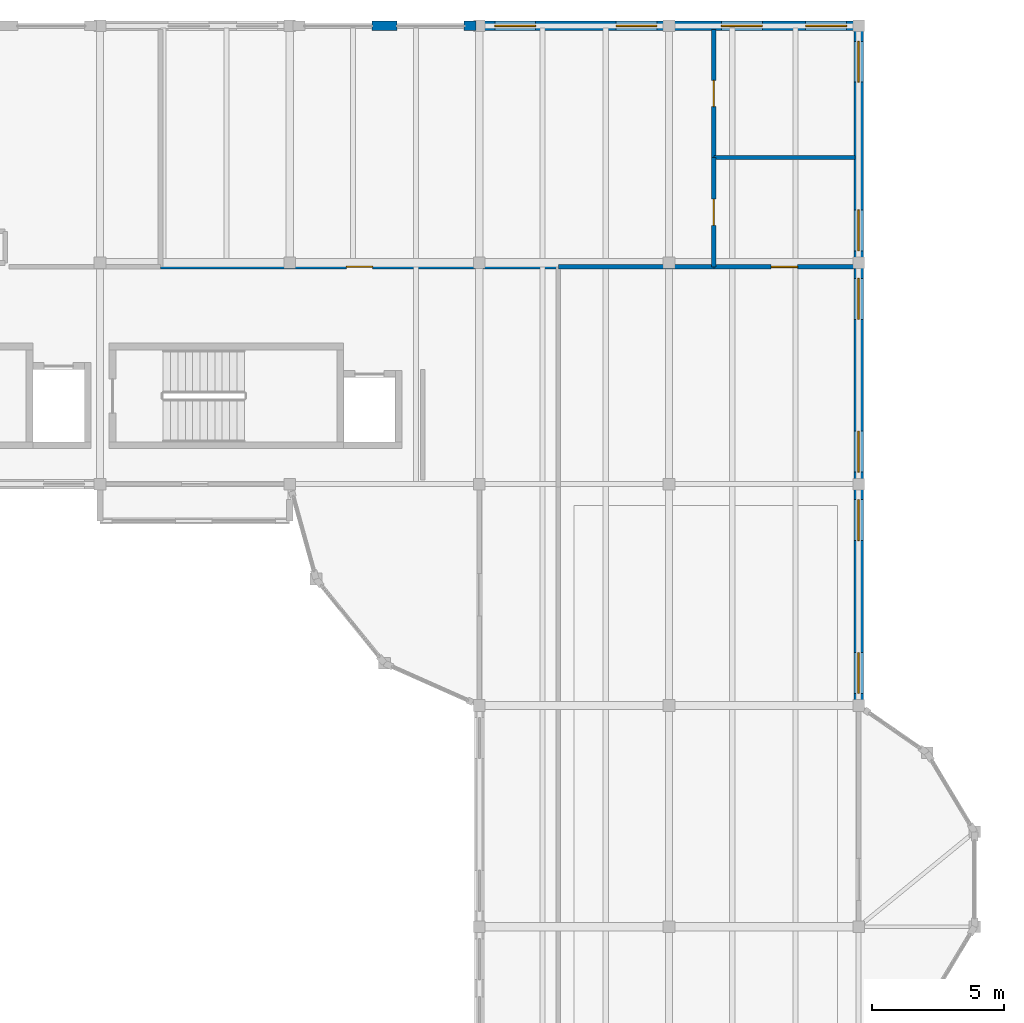
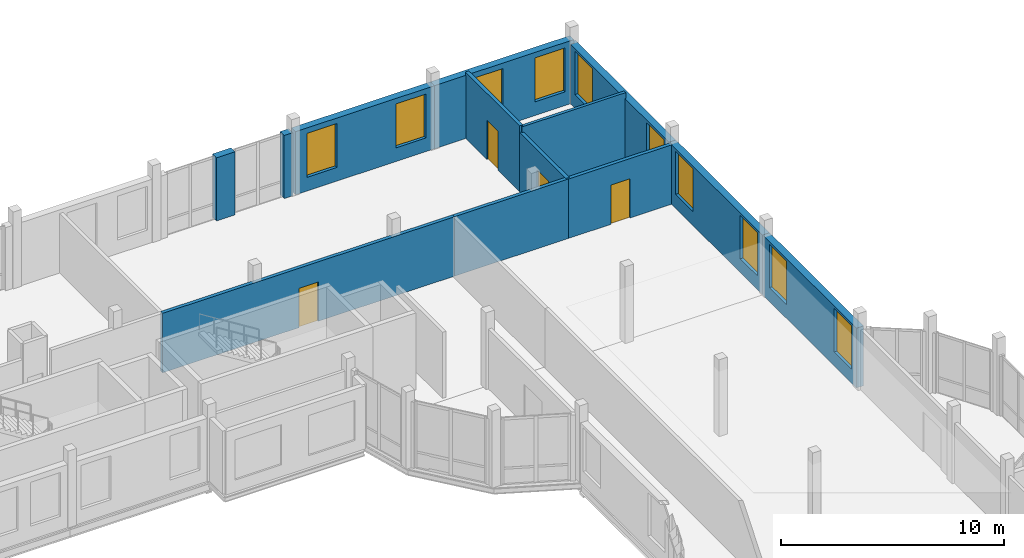
# One storey, part 62 of 81: 13 walls, 10 windows, 4 doors, 14 openings.
"""IFC4 building model written with IfcOpenShell, lengths in metres."""

from ifc_helpers import new_model, si_unit, direction, frame, frame_2d, origin, place, context, subcontext, project, spatial, rectangle, extrude, material, layer, layer_set, type_object, element, fill, save


model = new_model("IFC4")

# Units and contexts
model_context = context("Model", 3, precision=1e-05, world=origin(), true_north=direction((0.0, 1.0)))
body_context = subcontext(model_context, "Body", "Model", "MODEL_VIEW")
ifc_project = project(units=[si_unit("LENGTHUNIT", "METRE"), si_unit("AREAUNIT", "SQUARE_METRE"), si_unit("VOLUMEUNIT", "CUBIC_METRE"), si_unit("PLANEANGLEUNIT", "RADIAN"), si_unit("MASSUNIT", "GRAM", prefix="KILO")], contexts=[model_context])

# Site, building, storey
site_placement = place(None, origin())
site = spatial("IfcSite", under=ifc_project, at=site_placement, CompositionType="ELEMENT")
building_placement = place(site_placement, origin())
building = spatial("IfcBuilding", under=site, at=building_placement, Name="Kahlenmark Community Centre", CompositionType="ELEMENT")
storey_placement = place(building_placement, frame((0.0, 0.0, 9.60009765625)))
storey = spatial("IfcBuildingStorey", under=building, at=storey_placement, Name="L02", CompositionType="ELEMENT", Elevation=9.60009765625)

# Walls
ifc_material_1 = material(Name="Danube limestone masonry", Category="masonry")
ifc_layer_1 = layer(ifc_material_1, 0.360107421875)
ifc_layer_set_1 = layer_set([ifc_layer_1], Name="Danube limestone masonry")
wall_type_1 = type_object("IfcWallType", Name="WT-EW-360", PredefinedType="SOLIDWALL", material=ifc_layer_set_1)
wall_1_placement = place(storey_placement, frame((69.280029296875, 115.0, 0.0), z_axis=(0.0, 0.0, 1.0), x_axis=(-1.0, 0.0, 0.0)))
element("IfcWall", 1, at=wall_1_placement, inside=storey, type_object=wall_type_1, Name="Postmodern limestone pier 0509", PredefinedType="SOLIDWALL", context=body_context, shape_type="SweptSolid", body=[
    extrude(rectangle(XDim=0.9599609375, YDim=0.360107421875, at=frame_2d((0.47998046875, 0.0))), origin(), (0.0, 0.0, 1.0), 3.449951171875),
])
wall_2_placement = place(storey_placement, frame((72.27001953125, 115.0, 0.0), z_axis=(0.0, 0.0, 1.0), x_axis=(-1.0, 0.0, 0.0)))
element("IfcWall", 2, at=wall_2_placement, inside=storey, type_object=wall_type_1, Name="Column closure pier 0510", PredefinedType="SOLIDWALL", context=body_context, shape_type="SweptSolid", body=[
    extrude(rectangle(XDim=0.449951171875, YDim=0.360107421875, at=frame_2d((0.22509765625, 0.0))), origin(), (0.0, 0.0, 1.0), 3.449951171875),
])

# Wall, openings, windows
wall_3_placement = place(storey_placement, frame((79.60009765625, 115.0, 0.0), z_axis=(0.0, 0.0, 1.0), x_axis=(-1.0, 0.0, 0.0)))
wall_3 = element("IfcWall", 3, at=wall_3_placement, inside=storey, type_object=wall_type_1, Name="Exterior wall WL-EXT-L02-0512", PredefinedType="SOLIDWALL", context=body_context, shape_type="SweptSolid", body=[
    extrude(rectangle(XDim=7.2001953125, YDim=0.360107421875, at=frame_2d((3.60009765625, 0.0))), origin(), (0.0, 0.0, 1.0), 3.449951171875),
])
opening_1_placement = place(wall_3_placement, frame((0.4599609375, 0.0, 0.75)))
opening_1 = element("IfcOpeningElement", 4, at=opening_1_placement, cuts=wall_3, Name="Opening W-155X240", PredefinedType="OPENING", context=body_context, shape_type="SweptSolid", body=[
    extrude(rectangle(XDim=1.550048828125, YDim=2.39990234375, at=frame_2d((0.77490234375, 1.199951171875))), frame((0.0, 0.18994140625, 0.0), z_axis=(0.0, -1.0, 0.0), x_axis=(1.0, 0.0, 0.0)), (0.0, 0.0, 1.0), 0.380126953125),
])
opening_2_placement = place(wall_3_placement, frame((5.06005859375, 0.0, 0.75)))
opening_2 = element("IfcOpeningElement", 5, at=opening_2_placement, cuts=wall_3, Name="Opening W-155X240", PredefinedType="OPENING", context=body_context, shape_type="SweptSolid", body=[
    extrude(rectangle(XDim=1.550048828125, YDim=2.39990234375, at=frame_2d((0.77490234375, 1.199951171875))), frame((0.0, 0.18994140625, 0.0), z_axis=(0.0, -1.0, 0.0), x_axis=(1.0, 0.0, 0.0)), (0.0, 0.0, 1.0), 0.380126953125),
])
ifc_material_2 = material(Name="Deep-reveal limestone punched triple glazing", Category="masonry")
window_type_1 = type_object("IfcWindowType", Name="WNT-155X240", PartitioningType="DOUBLE_PANEL_HORIZONTAL", PredefinedType="WINDOW", material=ifc_material_2)
window_1_placement = place(opening_1_placement, origin())
window_1 = element("IfcWindow", 6, at=window_1_placement, inside=storey, type_object=window_type_1, Name="Window W-155X240 #0303", OverallHeight=2.39990234375, OverallWidth=1.550048828125, PartitioningType="DOUBLE_PANEL_HORIZONTAL", PredefinedType="WINDOW", context=body_context, shape_type="SweptSolid", body=[
    extrude(rectangle(XDim=1.550048828125, YDim=2.39990234375, at=frame_2d((0.77490234375, 1.199951171875))), frame((0.0, 0.030029296875, 0.0), z_axis=(0.0, -1.0, 0.0), x_axis=(1.0, 0.0, 0.0)), (0.0, 0.0, 1.0), 0.06005859375),
])
fill(opening_1, window_1)
window_2_placement = place(opening_2_placement, origin())
window_2 = element("IfcWindow", 7, at=window_2_placement, inside=storey, type_object=window_type_1, Name="Window W-155X240 #0304", OverallHeight=2.39990234375, OverallWidth=1.550048828125, PartitioningType="DOUBLE_PANEL_HORIZONTAL", PredefinedType="WINDOW", context=body_context, shape_type="SweptSolid", body=[
    extrude(rectangle(XDim=1.550048828125, YDim=2.39990234375, at=frame_2d((0.77490234375, 1.199951171875))), frame((0.0, 0.030029296875, 0.0), z_axis=(0.0, -1.0, 0.0), x_axis=(1.0, 0.0, 0.0)), (0.0, 0.0, 1.0), 0.06005859375),
])
fill(opening_2, window_2)

wall_4_placement = place(storey_placement, frame((86.800048828125, 115.0, 0.0), z_axis=(0.0, 0.0, 1.0), x_axis=(-1.0, 0.0, 0.0)))
wall_4 = element("IfcWall", 8, at=wall_4_placement, inside=storey, type_object=wall_type_1, Name="Exterior wall WL-EXT-L02-0513", PredefinedType="SOLIDWALL", context=body_context, shape_type="SweptSolid", body=[
    extrude(rectangle(XDim=7.199951171875, YDim=0.360107421875, at=frame_2d((3.60009765625, 0.0))), origin(), (0.0, 0.0, 1.0), 3.449951171875),
])
opening_3_placement = place(wall_4_placement, frame((0.4599609375, 0.0, 0.75)))
opening_3 = element("IfcOpeningElement", 9, at=opening_3_placement, cuts=wall_4, Name="Opening W-155X240", PredefinedType="OPENING", context=body_context, shape_type="SweptSolid", body=[
    extrude(rectangle(XDim=1.550048828125, YDim=2.39990234375, at=frame_2d((0.77490234375, 1.199951171875))), frame((0.0, 0.18994140625, 0.0), z_axis=(0.0, -1.0, 0.0), x_axis=(1.0, 0.0, 0.0)), (0.0, 0.0, 1.0), 0.380126953125),
])
opening_4_placement = place(wall_4_placement, frame((3.659912109375, 0.0, 0.75)))
opening_4 = element("IfcOpeningElement", 10, at=opening_4_placement, cuts=wall_4, Name="Opening W-155X240", PredefinedType="OPENING", context=body_context, shape_type="SweptSolid", body=[
    extrude(rectangle(XDim=1.550048828125, YDim=2.39990234375, at=frame_2d((0.77490234375, 1.199951171875))), frame((0.0, 0.18994140625, 0.0), z_axis=(0.0, -1.0, 0.0), x_axis=(1.0, 0.0, 0.0)), (0.0, 0.0, 1.0), 0.380126953125),
])
window_3_placement = place(opening_3_placement, origin())
window_3 = element("IfcWindow", 11, at=window_3_placement, inside=storey, type_object=window_type_1, Name="Window W-155X240 #0305", OverallHeight=2.39990234375, OverallWidth=1.550048828125, PartitioningType="DOUBLE_PANEL_HORIZONTAL", PredefinedType="WINDOW", context=body_context, shape_type="SweptSolid", body=[
    extrude(rectangle(XDim=1.550048828125, YDim=2.39990234375, at=frame_2d((0.77490234375, 1.199951171875))), frame((0.0, 0.030029296875, 0.0), z_axis=(0.0, -1.0, 0.0), x_axis=(1.0, 0.0, 0.0)), (0.0, 0.0, 1.0), 0.06005859375),
])
fill(opening_3, window_3)
window_4_placement = place(opening_4_placement, origin())
window_4 = element("IfcWindow", 12, at=window_4_placement, inside=storey, type_object=window_type_1, Name="Window W-155X240 #0306", OverallHeight=2.39990234375, OverallWidth=1.550048828125, PartitioningType="DOUBLE_PANEL_HORIZONTAL", PredefinedType="WINDOW", context=body_context, shape_type="SweptSolid", body=[
    extrude(rectangle(XDim=1.550048828125, YDim=2.39990234375, at=frame_2d((0.77490234375, 1.199951171875))), frame((0.0, 0.030029296875, 0.0), z_axis=(0.0, -1.0, 0.0), x_axis=(1.0, 0.0, 0.0)), (0.0, 0.0, 1.0), 0.06005859375),
])
fill(opening_4, window_4)

wall_5_placement = place(storey_placement, frame((86.800048828125, 97.60009765625, 0.0), z_axis=(0.0, 0.0, 1.0), x_axis=(0.0, 1.0, 0.0)))
wall_5 = element("IfcWall", 13, at=wall_5_placement, inside=storey, type_object=wall_type_1, Name="Exterior wall WL-EXT-L02-0518", PredefinedType="SOLIDWALL", context=body_context, shape_type="SweptSolid", body=[
    extrude(rectangle(XDim=8.39990234375, YDim=0.360107421875, at=frame_2d((4.199951171875, 0.0))), origin(), (0.0, 0.0, 1.0), 3.25),
])
opening_5_placement = place(wall_5_placement, frame((0.4599609375, 0.0, 0.75)))
opening_5 = element("IfcOpeningElement", 14, at=opening_5_placement, cuts=wall_5, Name="Opening W-155X236", PredefinedType="OPENING", context=body_context, shape_type="SweptSolid", body=[
    extrude(rectangle(XDim=1.550048828125, YDim=2.360107421875, at=frame_2d((0.77490234375, 1.18017578125))), frame((0.0, 0.18994140625, 0.0), z_axis=(0.0, -1.0, 0.0), x_axis=(1.0, 0.0, 0.0)), (0.0, 0.0, 1.0), 0.380126953125),
])
opening_6_placement = place(wall_5_placement, frame((6.260009765625, 0.0, 0.75)))
opening_6 = element("IfcOpeningElement", 15, at=opening_6_placement, cuts=wall_5, Name="Opening W-155X236", PredefinedType="OPENING", context=body_context, shape_type="SweptSolid", body=[
    extrude(rectangle(XDim=1.550048828125, YDim=2.360107421875, at=frame_2d((0.77490234375, 1.18017578125))), frame((0.0, 0.18994140625, 0.0), z_axis=(0.0, -1.0, 0.0), x_axis=(1.0, 0.0, 0.0)), (0.0, 0.0, 1.0), 0.380126953125),
])
window_type_2 = type_object("IfcWindowType", Name="WNT-155X236", PartitioningType="DOUBLE_PANEL_HORIZONTAL", PredefinedType="WINDOW", material=ifc_material_2)
window_5_placement = place(opening_5_placement, origin())
window_5 = element("IfcWindow", 16, at=window_5_placement, inside=storey, type_object=window_type_2, Name="Window W-155X236 #0309", OverallHeight=2.360107421875, OverallWidth=1.550048828125, PartitioningType="DOUBLE_PANEL_HORIZONTAL", PredefinedType="WINDOW", context=body_context, shape_type="SweptSolid", body=[
    extrude(rectangle(XDim=1.550048828125, YDim=2.360107421875, at=frame_2d((0.77490234375, 1.18017578125))), frame((0.0, 0.030029296875, 0.0), z_axis=(0.0, -1.0, 0.0), x_axis=(1.0, 0.0, 0.0)), (0.0, 0.0, 1.0), 0.06005859375),
])
fill(opening_5, window_5)
window_6_placement = place(opening_6_placement, origin())
window_6 = element("IfcWindow", 17, at=window_6_placement, inside=storey, type_object=window_type_2, Name="Window W-155X236 #0310", OverallHeight=2.360107421875, OverallWidth=1.550048828125, PartitioningType="DOUBLE_PANEL_HORIZONTAL", PredefinedType="WINDOW", context=body_context, shape_type="SweptSolid", body=[
    extrude(rectangle(XDim=1.550048828125, YDim=2.360107421875, at=frame_2d((0.77490234375, 1.18017578125))), frame((0.0, 0.030029296875, 0.0), z_axis=(0.0, -1.0, 0.0), x_axis=(1.0, 0.0, 0.0)), (0.0, 0.0, 1.0), 0.06005859375),
])
fill(opening_6, window_6)

wall_6_placement = place(storey_placement, frame((86.800048828125, 106.0, 0.0), z_axis=(0.0, 0.0, 1.0), x_axis=(0.0, 1.0, 0.0)))
wall_6 = element("IfcWall", 18, at=wall_6_placement, inside=storey, type_object=wall_type_1, Name="Exterior wall WL-EXT-L02-0519", PredefinedType="SOLIDWALL", context=body_context, shape_type="SweptSolid", body=[
    extrude(rectangle(XDim=9.0, YDim=0.360107421875, at=frame_2d((4.5, 0.0))), origin(), (0.0, 0.0, 1.0), 3.25),
])
opening_7_placement = place(wall_6_placement, frame((0.4599609375, 0.0, 0.75)))
opening_7 = element("IfcOpeningElement", 19, at=opening_7_placement, cuts=wall_6, Name="Opening W-155X236", PredefinedType="OPENING", context=body_context, shape_type="SweptSolid", body=[
    extrude(rectangle(XDim=1.550048828125, YDim=2.360107421875, at=frame_2d((0.77490234375, 1.18017578125))), frame((0.0, 0.18994140625, 0.0), z_axis=(0.0, -1.0, 0.0), x_axis=(1.0, 0.0, 0.0)), (0.0, 0.0, 1.0), 0.380126953125),
])
opening_8_placement = place(wall_6_placement, frame((6.860107421875, 0.0, 0.75)))
opening_8 = element("IfcOpeningElement", 20, at=opening_8_placement, cuts=wall_6, Name="Opening W-155X236", PredefinedType="OPENING", context=body_context, shape_type="SweptSolid", body=[
    extrude(rectangle(XDim=1.550048828125, YDim=2.360107421875, at=frame_2d((0.77490234375, 1.18017578125))), frame((0.0, 0.18994140625, 0.0), z_axis=(0.0, -1.0, 0.0), x_axis=(1.0, 0.0, 0.0)), (0.0, 0.0, 1.0), 0.380126953125),
])
window_7_placement = place(opening_7_placement, origin())
window_7 = element("IfcWindow", 21, at=window_7_placement, inside=storey, type_object=window_type_2, Name="Window W-155X236 #0311", OverallHeight=2.360107421875, OverallWidth=1.550048828125, PartitioningType="DOUBLE_PANEL_HORIZONTAL", PredefinedType="WINDOW", context=body_context, shape_type="SweptSolid", body=[
    extrude(rectangle(XDim=1.550048828125, YDim=2.360107421875, at=frame_2d((0.77490234375, 1.18017578125))), frame((0.0, 0.030029296875, 0.0), z_axis=(0.0, -1.0, 0.0), x_axis=(1.0, 0.0, 0.0)), (0.0, 0.0, 1.0), 0.06005859375),
])
fill(opening_7, window_7)
window_8_placement = place(opening_8_placement, origin())
window_8 = element("IfcWindow", 22, at=window_8_placement, inside=storey, type_object=window_type_2, Name="Window W-155X236 #0312", OverallHeight=2.360107421875, OverallWidth=1.550048828125, PartitioningType="DOUBLE_PANEL_HORIZONTAL", PredefinedType="WINDOW", context=body_context, shape_type="SweptSolid", body=[
    extrude(rectangle(XDim=1.550048828125, YDim=2.360107421875, at=frame_2d((0.77490234375, 1.18017578125))), frame((0.0, 0.030029296875, 0.0), z_axis=(0.0, -1.0, 0.0), x_axis=(1.0, 0.0, 0.0)), (0.0, 0.0, 1.0), 0.06005859375),
])
fill(opening_8, window_8)

wall_7_placement = place(storey_placement, frame((86.800048828125, 89.199951171875, 0.0), z_axis=(0.0, 0.0, 1.0), x_axis=(0.0, 1.0, 0.0)))
wall_7 = element("IfcWall", 23, at=wall_7_placement, inside=storey, type_object=wall_type_1, Name="Exterior wall WL-EXT-L02-0530", PredefinedType="SOLIDWALL", context=body_context, shape_type="SweptSolid", body=[
    extrude(rectangle(XDim=8.400146484375, YDim=0.360107421875, at=frame_2d((4.2001953125, 0.0))), origin(), (0.0, 0.0, 1.0), 3.27001953125),
])
opening_9_placement = place(wall_7_placement, frame((0.4599609375, 0.0, 0.75)))
opening_9 = element("IfcOpeningElement", 24, at=opening_9_placement, cuts=wall_7, Name="Opening W-155X238", PredefinedType="OPENING", context=body_context, shape_type="SweptSolid", body=[
    extrude(rectangle(XDim=1.550048828125, YDim=2.3798828125, at=frame_2d((0.77490234375, 1.18994140625))), frame((0.0, 0.18994140625, 0.0), z_axis=(0.0, -1.0, 0.0), x_axis=(1.0, 0.0, 0.0)), (0.0, 0.0, 1.0), 0.380126953125),
])
opening_10_placement = place(wall_7_placement, frame((6.260009765625, 0.0, 0.75)))
opening_10 = element("IfcOpeningElement", 25, at=opening_10_placement, cuts=wall_7, Name="Opening W-155X238", PredefinedType="OPENING", context=body_context, shape_type="SweptSolid", body=[
    extrude(rectangle(XDim=1.550048828125, YDim=2.3798828125, at=frame_2d((0.77490234375, 1.18994140625))), frame((0.0, 0.18994140625, 0.0), z_axis=(0.0, -1.0, 0.0), x_axis=(1.0, 0.0, 0.0)), (0.0, 0.0, 1.0), 0.380126953125),
])
window_type_3 = type_object("IfcWindowType", Name="WNT-155X238", PartitioningType="DOUBLE_PANEL_HORIZONTAL", PredefinedType="WINDOW", material=ifc_material_2)
window_9_placement = place(opening_9_placement, origin())
window_9 = element("IfcWindow", 26, at=window_9_placement, inside=storey, type_object=window_type_3, Name="Window W-155X238 #0327", OverallHeight=2.3798828125, OverallWidth=1.550048828125, PartitioningType="DOUBLE_PANEL_HORIZONTAL", PredefinedType="WINDOW", context=body_context, shape_type="SweptSolid", body=[
    extrude(rectangle(XDim=1.550048828125, YDim=2.3798828125, at=frame_2d((0.77490234375, 1.18994140625))), frame((0.0, 0.030029296875, 0.0), z_axis=(0.0, -1.0, 0.0), x_axis=(1.0, 0.0, 0.0)), (0.0, 0.0, 1.0), 0.06005859375),
])
fill(opening_9, window_9)
window_10_placement = place(opening_10_placement, origin())
window_10 = element("IfcWindow", 27, at=window_10_placement, inside=storey, type_object=window_type_3, Name="Window W-155X238 #0328", OverallHeight=2.3798828125, OverallWidth=1.550048828125, PartitioningType="DOUBLE_PANEL_HORIZONTAL", PredefinedType="WINDOW", context=body_context, shape_type="SweptSolid", body=[
    extrude(rectangle(XDim=1.550048828125, YDim=2.3798828125, at=frame_2d((0.77490234375, 1.18994140625))), frame((0.0, 0.030029296875, 0.0), z_axis=(0.0, -1.0, 0.0), x_axis=(1.0, 0.0, 0.0)), (0.0, 0.0, 1.0), 0.06005859375),
])
fill(opening_10, window_10)

# Wall
ifc_material_3 = material(Name="Gypsum plasterboard partition", Category="gypsum")
ifc_layer_2 = layer(ifc_material_3, 0.14990234375)
ifc_layer_set_2 = layer_set([ifc_layer_2], Name="Gypsum plasterboard partition")
wall_type_2 = type_object("IfcWallType", Name="WT-PW-150", PredefinedType="PARTITIONING", material=ifc_layer_set_2)
wall_8_placement = place(storey_placement, frame((81.300048828125, 110.0, 0.0), z_axis=(0.0, 0.0, 1.0), x_axis=(1.0, 0.0, 0.0)))
element("IfcWall", 28, at=wall_8_placement, inside=storey, type_object=wall_type_2, Name="Interior partition WL-INT-L02-0202", PredefinedType="PARTITIONING", context=body_context, shape_type="SweptSolid", body=[
    extrude(rectangle(XDim=5.35986328125, YDim=0.14990234375, at=frame_2d((2.679931640625, 0.0))), origin(), (0.0, 0.0, 1.0), 3.56982421875),
])

# Wall, opening, door
ifc_layer_3 = layer(ifc_material_3, 0.179931640625)
ifc_layer_set_3 = layer_set([ifc_layer_3], Name="Gypsum plasterboard partition")
wall_type_3 = type_object("IfcWallType", Name="WT-PW-180", PredefinedType="PARTITIONING", material=ifc_layer_set_3)
wall_9_placement = place(storey_placement, frame((60.300048828125, 105.85009765625, 0.0), z_axis=(0.0, 0.0, 1.0), x_axis=(1.0, 0.0, 0.0)))
wall_9 = element("IfcWall", 29, at=wall_9_placement, inside=storey, type_object=wall_type_3, Name="Interior partition WL-INT-L02-0196", PredefinedType="PARTITIONING", context=body_context, shape_type="SweptSolid", body=[
    extrude(rectangle(XDim=15.099853515625, YDim=0.179931640625, at=frame_2d((7.5498046875, 0.0))), origin(), (0.0, 0.0, 1.0), 3.25),
])
opening_11_placement = place(wall_9_placement, frame((7.050048828125, 0.0, -0.010009765625)))
opening_11 = element("IfcOpeningElement", 30, at=opening_11_placement, cuts=wall_9, Name="Opening D-L02-114", PredefinedType="OPENING", context=body_context, shape_type="SweptSolid", body=[
    extrude(rectangle(XDim=1.0, YDim=2.159912109375, at=frame_2d((0.5, 1.080078125))), frame((0.0, 0.099853515625, 0.0), z_axis=(0.0, -1.0, 0.0), x_axis=(1.0, 0.0, 0.0)), (0.0, 0.0, 1.0), 0.199951171875),
])
ifc_material_4 = material(Name="Oak timber veneer door leaf", Category="wood")
door_type = type_object("IfcDoorType", Name="DT-INT-100X215", OperationType="NOTDEFINED", PredefinedType="DOOR", material=ifc_material_4)
door_1_placement = place(opening_11_placement, frame((1.0, 0.0, 0.010009765625), z_axis=(0.0, 0.0, 1.0), x_axis=(-1.0, 0.0, 0.0)))
door_1 = element("IfcDoor", 31, at=door_1_placement, inside=storey, type_object=door_type, Name="Interior door D-L02-114", OperationType="SINGLE_SWING_LEFT", OverallHeight=2.14990234375, OverallWidth=1.0, PredefinedType="DOOR", context=body_context, shape_type="SweptSolid", body=[
    extrude(rectangle(XDim=1.0, YDim=2.14990234375, at=frame_2d((0.5, 1.074951171875))), frame((0.0, 0.02490234375, 0.0), z_axis=(0.0, -1.0, 0.0), x_axis=(1.0, 0.0, 0.0)), (0.0, 0.0, 1.0), 0.050048828125),
])
fill(opening_11, door_1)

# Wall
wall_10_placement = place(storey_placement, frame((75.39990234375, 105.85009765625, 0.0), z_axis=(0.0, 0.0, 1.0), x_axis=(1.0, 0.0, 0.0)))
element("IfcWall", 32, at=wall_10_placement, inside=storey, type_object=wall_type_3, Name="Interior partition WL-INT-L02-0197", PredefinedType="PARTITIONING", context=body_context, shape_type="SweptSolid", body=[
    extrude(rectangle(XDim=5.900146484375, YDim=0.179931640625, at=frame_2d((2.9501953125, 0.0))), origin(), (0.0, 0.0, 1.0), 3.25),
])

# Wall, opening, door
wall_11_placement = place(storey_placement, frame((81.300048828125, 105.85009765625, 0.0), z_axis=(0.0, 0.0, 1.0), x_axis=(1.0, 0.0, 0.0)))
wall_11 = element("IfcWall", 33, at=wall_11_placement, inside=storey, type_object=wall_type_3, Name="Interior partition WL-INT-L02-0198", PredefinedType="PARTITIONING", context=body_context, shape_type="SweptSolid", body=[
    extrude(rectangle(XDim=5.35986328125, YDim=0.179931640625, at=frame_2d((2.679931640625, 0.0))), origin(), (0.0, 0.0, 1.0), 3.25),
])
opening_12_placement = place(wall_11_placement, frame((2.179931640625, 0.0, -0.010009765625)))
opening_12 = element("IfcOpeningElement", 34, at=opening_12_placement, cuts=wall_11, Name="Opening D-L02-115", PredefinedType="OPENING", context=body_context, shape_type="SweptSolid", body=[
    extrude(rectangle(XDim=1.0, YDim=2.159912109375, at=frame_2d((0.5, 1.080078125))), frame((0.0, 0.099853515625, 0.0), z_axis=(0.0, -1.0, 0.0), x_axis=(1.0, 0.0, 0.0)), (0.0, 0.0, 1.0), 0.199951171875),
])
door_2_placement = place(opening_12_placement, frame((0.0, 0.0, 0.010009765625)))
door_2 = element("IfcDoor", 35, at=door_2_placement, inside=storey, type_object=door_type, Name="Interior door D-L02-115", OperationType="SINGLE_SWING_RIGHT", OverallHeight=2.14990234375, OverallWidth=1.0, PredefinedType="DOOR", context=body_context, shape_type="SweptSolid", body=[
    extrude(rectangle(XDim=1.0, YDim=2.14990234375, at=frame_2d((0.5, 1.074951171875))), frame((0.0, 0.02490234375, 0.0), z_axis=(0.0, -1.0, 0.0), x_axis=(1.0, 0.0, 0.0)), (0.0, 0.0, 1.0), 0.050048828125),
])
fill(opening_12, door_2)

wall_12_placement = place(storey_placement, frame((81.300048828125, 105.85009765625, 0.0), z_axis=(0.0, 0.0, 1.0), x_axis=(0.0, 1.0, 0.0)))
wall_12 = element("IfcWall", 36, at=wall_12_placement, inside=storey, type_object=wall_type_3, Name="Interior partition WL-INT-L02-0200", PredefinedType="PARTITIONING", context=body_context, shape_type="SweptSolid", body=[
    extrude(rectangle(XDim=4.14990234375, YDim=0.179931640625, at=frame_2d((2.074951171875, 0.0))), origin(), (0.0, 0.0, 1.0), 3.25),
])
opening_13_placement = place(wall_12_placement, frame((1.574951171875, 0.0, -0.010009765625)))
opening_13 = element("IfcOpeningElement", 37, at=opening_13_placement, cuts=wall_12, Name="Opening D-L02-116", PredefinedType="OPENING", context=body_context, shape_type="SweptSolid", body=[
    extrude(rectangle(XDim=1.0, YDim=2.159912109375, at=frame_2d((0.5, 1.080078125))), frame((0.0, 0.099853515625, 0.0), z_axis=(0.0, -1.0, 0.0), x_axis=(1.0, 0.0, 0.0)), (0.0, 0.0, 1.0), 0.199951171875),
])
door_3_placement = place(opening_13_placement, frame((0.0, 0.0, 0.010009765625)))
door_3 = element("IfcDoor", 38, at=door_3_placement, inside=storey, type_object=door_type, Name="Interior door D-L02-116", OperationType="SINGLE_SWING_LEFT", OverallHeight=2.14990234375, OverallWidth=1.0, PredefinedType="DOOR", context=body_context, shape_type="SweptSolid", body=[
    extrude(rectangle(XDim=1.0, YDim=2.14990234375, at=frame_2d((0.5, 1.074951171875))), frame((0.0, 0.02490234375, 0.0), z_axis=(0.0, -1.0, 0.0), x_axis=(1.0, 0.0, 0.0)), (0.0, 0.0, 1.0), 0.050048828125),
])
fill(opening_13, door_3)

wall_13_placement = place(storey_placement, frame((81.300048828125, 110.0, 0.0), z_axis=(0.0, 0.0, 1.0), x_axis=(0.0, 1.0, 0.0)))
wall_13 = element("IfcWall", 39, at=wall_13_placement, inside=storey, type_object=wall_type_3, Name="Interior partition WL-INT-L02-0201", PredefinedType="PARTITIONING", context=body_context, shape_type="SweptSolid", body=[
    extrude(rectangle(XDim=4.860107421875, YDim=0.179931640625, at=frame_2d((2.43017578125, 0.0))), origin(), (0.0, 0.0, 1.0), 3.60986328125),
])
opening_14_placement = place(wall_13_placement, frame((1.929931640625, 0.0, -0.010009765625)))
opening_14 = element("IfcOpeningElement", 40, at=opening_14_placement, cuts=wall_13, Name="Opening D-L02-117", PredefinedType="OPENING", context=body_context, shape_type="SweptSolid", body=[
    extrude(rectangle(XDim=1.0, YDim=2.159912109375, at=frame_2d((0.5, 1.080078125))), frame((0.0, 0.099853515625, 0.0), z_axis=(0.0, -1.0, 0.0), x_axis=(1.0, 0.0, 0.0)), (0.0, 0.0, 1.0), 0.199951171875),
])
door_4_placement = place(opening_14_placement, frame((1.0, 0.0, 0.010009765625), z_axis=(0.0, 0.0, 1.0), x_axis=(-1.0, 0.0, 0.0)))
door_4 = element("IfcDoor", 41, at=door_4_placement, inside=storey, type_object=door_type, Name="Interior door D-L02-117", OperationType="SINGLE_SWING_RIGHT", OverallHeight=2.14990234375, OverallWidth=1.0, PredefinedType="DOOR", context=body_context, shape_type="SweptSolid", body=[
    extrude(rectangle(XDim=1.0, YDim=2.14990234375, at=frame_2d((0.5, 1.074951171875))), frame((0.0, 0.02490234375, 0.0), z_axis=(0.0, -1.0, 0.0), x_axis=(1.0, 0.0, 0.0)), (0.0, 0.0, 1.0), 0.050048828125),
])
fill(opening_14, door_4)

save(model, "model.ifc")
